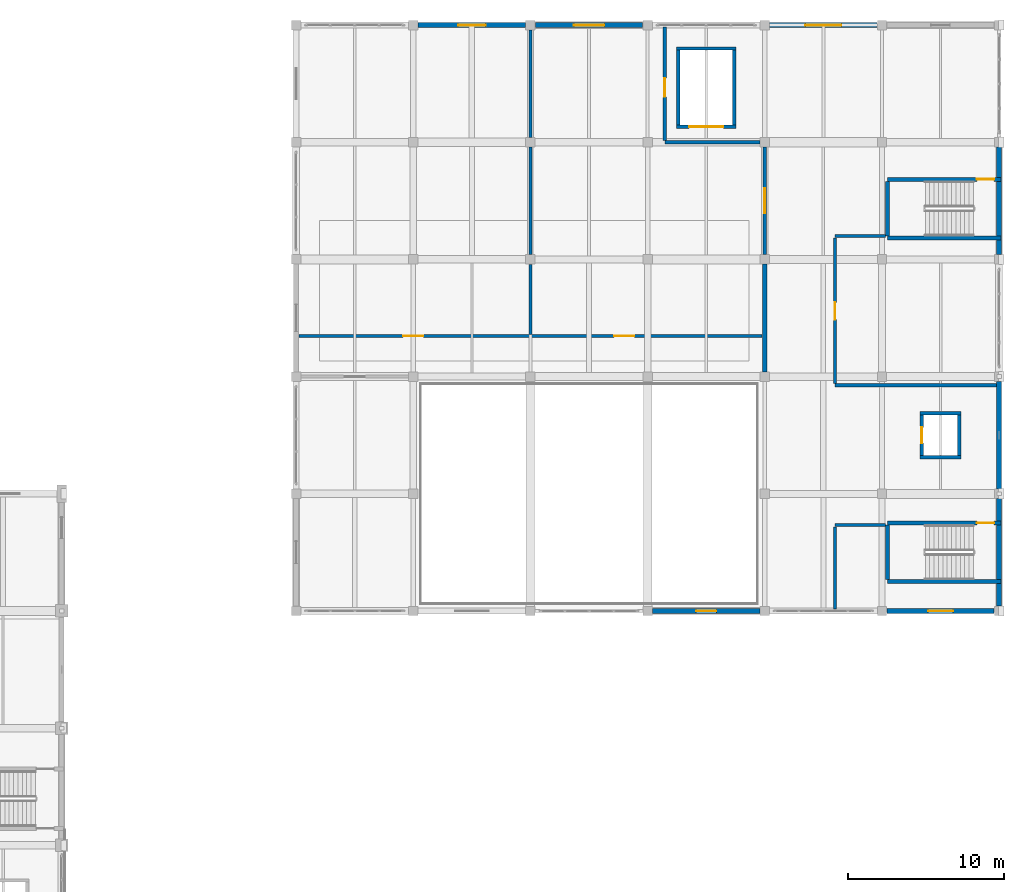
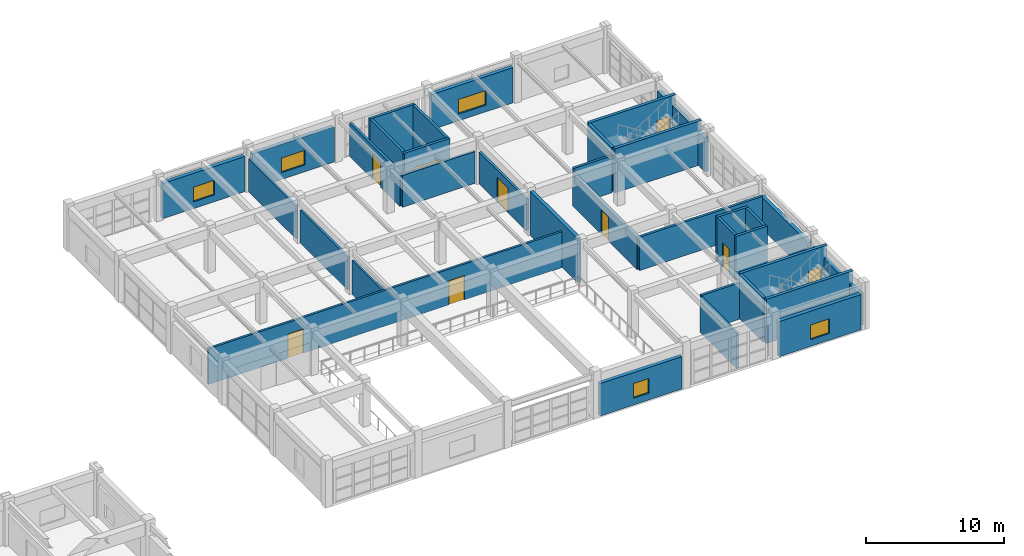
# One storey, part 100 of 124: 35 walls, 9 doors, 5 windows, 14 openings.
"""IFC4 building model written with IfcOpenShell, lengths in metres."""

from ifc_helpers import new_model, si_unit, direction, frame, frame_2d, origin, place, context, subcontext, project, spatial, rectangle, extrude, material, layer, layer_set, type_object, element, fill, save


model = new_model("IFC4")

# Units and contexts
model_context = context("Model", 3, precision=1e-05, world=origin(), true_north=direction((0.0, 1.0)))
body_context = subcontext(model_context, "Body", "Model", "MODEL_VIEW")
ifc_project = project(units=[si_unit("LENGTHUNIT", "METRE"), si_unit("AREAUNIT", "SQUARE_METRE"), si_unit("VOLUMEUNIT", "CUBIC_METRE"), si_unit("PLANEANGLEUNIT", "RADIAN"), si_unit("MASSUNIT", "GRAM", prefix="KILO")], contexts=[model_context])

# Site, building, storey
site_placement = place(None, origin())
site = spatial("IfcSite", under=ifc_project, at=site_placement, CompositionType="ELEMENT")
building_placement = place(site_placement, origin())
building = spatial("IfcBuilding", under=site, at=building_placement, Name="Qasida Concert Hall", CompositionType="ELEMENT")
storey_placement = place(building_placement, frame((0.0, 0.0, 9.0)))
storey = spatial("IfcBuildingStorey", under=building, at=storey_placement, Name="L02", CompositionType="ELEMENT", Elevation=9.0)

# Walls
ifc_material_1 = material(Name="Concrete C40/50", Category="concrete")
ifc_layer_1 = layer(ifc_material_1, 0.219970703125, Name="Concrete C40/50")
ifc_layer_set_1 = layer_set([ifc_layer_1], Name="Concrete C40/50")
wall_type_1 = type_object("IfcWallType", Name="WL-CW-220", PredefinedType="SOLIDWALL", material=ifc_layer_set_1)
for number, where, z_axis, x_axis, name in (
    (1, (159.93994140625, 84.85009765625, 0.0), (0.0, 0.0, 1.0), (1.0, 0.0, 0.0), "L02 LF-09 lift shaft wall S"),
    (2, (159.93994140625, 87.64990234375, 0.0), (0.0, 0.0, 1.0), (1.0, 0.0, 0.0), "L02 LF-09 lift shaft wall N"),
):
    element("IfcWall", number, at=place(storey_placement, frame(where, z_axis=z_axis, x_axis=x_axis)), inside=storey, type_object=wall_type_1, Name=name, PredefinedType="SOLIDWALL", context=body_context, shape_type="SweptSolid", body=[
        extrude(rectangle(XDim=2.6201171875, YDim=0.219970703125, at=frame_2d((1.31005859375, 0.0))), origin(), (0.0, 0.0, 1.0), 3.919921875),
    ])

# Wall, opening, door
wall_1_placement = place(storey_placement, frame((160.050048828125, 84.9599609375, 0.0), z_axis=(0.0, 0.0, 1.0), x_axis=(0.0, 1.0, 0.0)))
wall_1 = element("IfcWall", 3, at=wall_1_placement, inside=storey, type_object=wall_type_1, Name="L02 LF-09 lift shaft wall W", PredefinedType="SOLIDWALL", context=body_context, shape_type="SweptSolid", body=[
    extrude(rectangle(XDim=2.580078125, YDim=0.219970703125, at=frame_2d((1.2900390625, 0.0))), origin(), (0.0, 0.0, 1.0), 3.919921875),
])
opening_1_placement = place(wall_1_placement, frame((0.7900390625, 0.0, 0.0)))
opening_1 = element("IfcOpeningElement", 4, at=opening_1_placement, cuts=wall_1, Name="Opening LD-100", PredefinedType="OPENING", context=body_context, shape_type="SweptSolid", body=[
    extrude(rectangle(XDim=1.0, YDim=2.14990234375, at=frame_2d((0.5, 1.074951171875))), frame((0.0, 0.119873046875, 0.0), z_axis=(0.0, -1.0, 0.0), x_axis=(1.0, 0.0, 0.0)), (0.0, 0.0, 1.0), 0.239990234375),
])
ifc_material_2 = material(Name="Brushed bronze passenger lift landing door", Category="steel")
door_type_1 = type_object("IfcDoorType", Name="LD-100", OperationType="SLIDING_TO_LEFT", PredefinedType="DOOR", material=ifc_material_2)
door_1_placement = place(opening_1_placement, origin())
door_1 = element("IfcDoor", 5, at=door_1_placement, inside=storey, type_object=door_type_1, Name="Lift landing door LF-09 L02", OperationType="SLIDING_TO_LEFT", OverallHeight=2.14990234375, OverallWidth=1.0, PredefinedType="DOOR", context=body_context, shape_type="SweptSolid", body=[
    extrude(rectangle(XDim=1.0, YDim=2.14990234375, at=frame_2d((0.5, 1.074951171875))), frame((0.0, 0.02490234375, 0.0), z_axis=(0.0, -1.0, 0.0), x_axis=(1.0, 0.0, 0.0)), (0.0, 0.0, 1.0), 0.050048828125),
])
fill(opening_1, door_1)

# Wall
wall_2_placement = place(storey_placement, frame((162.449951171875, 84.9599609375, 0.0), z_axis=(0.0, 0.0, 1.0), x_axis=(0.0, 1.0, 0.0)))
element("IfcWall", 6, at=wall_2_placement, inside=storey, type_object=wall_type_1, Name="L02 LF-09 lift shaft wall E", PredefinedType="SOLIDWALL", context=body_context, shape_type="SweptSolid", body=[
    extrude(rectangle(XDim=2.580078125, YDim=0.219970703125, at=frame_2d((1.2900390625, 0.0))), origin(), (0.0, 0.0, 1.0), 3.919921875),
])

# Wall, opening, door
wall_3_placement = place(storey_placement, frame((144.340087890625, 106.0, 0.0), z_axis=(0.0, 0.0, 1.0), x_axis=(1.0, 0.0, 0.0)))
wall_3 = element("IfcWall", 7, at=wall_3_placement, inside=storey, type_object=wall_type_1, Name="L02 LF-10 lift shaft wall S", PredefinedType="SOLIDWALL", context=body_context, shape_type="SweptSolid", body=[
    extrude(rectangle(XDim=3.81982421875, YDim=0.219970703125, at=frame_2d((1.909912109375, 0.0))), origin(), (0.0, 0.0, 1.0), 3.919921875),
])
opening_2_placement = place(wall_3_placement, frame((0.81005859375, 0.0, 0.0)))
opening_2 = element("IfcOpeningElement", 8, at=opening_2_placement, cuts=wall_3, Name="Opening LD-220", PredefinedType="OPENING", context=body_context, shape_type="SweptSolid", body=[
    extrude(rectangle(XDim=2.199951171875, YDim=2.35009765625, at=frame_2d((1.10009765625, 1.175048828125))), frame((0.0, 0.119873046875, 0.0), z_axis=(0.0, -1.0, 0.0), x_axis=(1.0, 0.0, 0.0)), (0.0, 0.0, 1.0), 0.239990234375),
])
ifc_material_3 = material(Name="Piano freight lift bi-parting landing door", Category="steel")
door_type_2 = type_object("IfcDoorType", Name="LD-220", OperationType="DOUBLE_DOOR_SLIDING", PredefinedType="DOOR", material=ifc_material_3)
door_2_placement = place(opening_2_placement, origin())
door_2 = element("IfcDoor", 9, at=door_2_placement, inside=storey, type_object=door_type_2, Name="Lift landing door LF-10 L02", OperationType="DOUBLE_DOOR_SLIDING", OverallHeight=2.35009765625, OverallWidth=2.199951171875, PredefinedType="DOOR", context=body_context, shape_type="SweptSolid", body=[
    extrude(rectangle(XDim=2.199951171875, YDim=2.35009765625, at=frame_2d((1.10009765625, 1.175048828125))), frame((0.0, 0.02490234375, 0.0), z_axis=(0.0, -1.0, 0.0), x_axis=(1.0, 0.0, 0.0)), (0.0, 0.0, 1.0), 0.050048828125),
])
fill(opening_2, door_2)

# Walls
wall_4_placement = place(storey_placement, frame((144.340087890625, 111.0, 0.0), z_axis=(0.0, 0.0, 1.0), x_axis=(1.0, 0.0, 0.0)))
element("IfcWall", 10, at=wall_4_placement, inside=storey, type_object=wall_type_1, Name="L02 LF-10 lift shaft wall N", PredefinedType="SOLIDWALL", context=body_context, shape_type="SweptSolid", body=[
    extrude(rectangle(XDim=3.81982421875, YDim=0.219970703125, at=frame_2d((1.909912109375, 0.0))), origin(), (0.0, 0.0, 1.0), 3.919921875),
])
for number, where, z_axis, x_axis, name in (
    (11, (144.449951171875, 106.110107421875, 0.0), (0.0, 0.0, 1.0), (0.0, 1.0, 0.0), "L02 LF-10 lift shaft wall W"),
    (12, (148.050048828125, 106.110107421875, 0.0), (0.0, 0.0, 1.0), (0.0, 1.0, 0.0), "L02 LF-10 lift shaft wall E"),
):
    element("IfcWall", number, at=place(storey_placement, frame(where, z_axis=z_axis, x_axis=x_axis)), inside=storey, type_object=wall_type_1, Name=name, PredefinedType="SOLIDWALL", context=body_context, shape_type="SweptSolid", body=[
        extrude(rectangle(XDim=4.77978515625, YDim=0.219970703125, at=frame_2d((2.389892578125, 0.0))), origin(), (0.0, 0.0, 1.0), 3.919921875),
    ])
ifc_layer_2 = layer(ifc_material_1, 0.25, Name="Concrete C40/50")
ifc_layer_set_2 = layer_set([ifc_layer_2], Name="Concrete C40/50")
wall_type_2 = type_object("IfcWallType", Name="WL-CW-250", PredefinedType="SOLIDWALL", material=ifc_layer_set_2)
wall_5_placement = place(storey_placement, frame((157.860107421875, 76.875, 0.0), z_axis=(0.0, 0.0, 1.0), x_axis=(1.0, 0.0, 0.0)))
element("IfcWall", 13, at=wall_5_placement, inside=storey, type_object=wall_type_2, Name="L02 ST-07 stairwell wall S", PredefinedType="SOLIDWALL", context=body_context, shape_type="SweptSolid", body=[
    extrude(rectangle(XDim=7.260009765625, YDim=0.25, at=frame_2d((3.6298828125, 0.0))), origin(), (0.0, 0.0, 1.0), 3.919921875),
])

# Wall, opening, door
wall_6_placement = place(storey_placement, frame((157.860107421875, 80.625, 0.0), z_axis=(0.0, 0.0, 1.0), x_axis=(1.0, 0.0, 0.0)))
wall_6 = element("IfcWall", 14, at=wall_6_placement, inside=storey, type_object=wall_type_2, Name="L02 ST-07 stairwell wall N", PredefinedType="SOLIDWALL", context=body_context, shape_type="SweptSolid", body=[
    extrude(rectangle(XDim=7.260009765625, YDim=0.25, at=frame_2d((3.6298828125, 0.0))), origin(), (0.0, 0.0, 1.0), 3.919921875),
])
opening_3_placement = place(wall_6_placement, frame((5.7099609375, 0.0, 0.0)))
opening_3 = element("IfcOpeningElement", 15, at=opening_3_placement, cuts=wall_6, Name="Opening FD-110", PredefinedType="OPENING", context=body_context, shape_type="SweptSolid", body=[
    extrude(rectangle(XDim=1.10009765625, YDim=2.14990234375, at=frame_2d((0.550048828125, 1.074951171875))), frame((0.0, 0.135009765625, 0.0), z_axis=(0.0, -1.0, 0.0), x_axis=(1.0, 0.0, 0.0)), (0.0, 0.0, 1.0), 0.27001953125),
])
ifc_material_4 = material(Name="Steel fire-rated stair/lobby door set", Category="steel")
door_type_3 = type_object("IfcDoorType", Name="FD-110", OperationType="NOTDEFINED", PredefinedType="DOOR", material=ifc_material_4)
door_3_placement = place(opening_3_placement, origin())
door_3 = element("IfcDoor", 16, at=door_3_placement, inside=storey, type_object=door_type_3, Name="L02 ST-07 rated stair door", OperationType="SINGLE_SWING_LEFT", OverallHeight=2.14990234375, OverallWidth=1.10009765625, PredefinedType="DOOR", context=body_context, shape_type="SweptSolid", body=[
    extrude(rectangle(XDim=1.10009765625, YDim=2.14990234375, at=frame_2d((0.550048828125, 1.074951171875))), frame((0.0, 0.02490234375, 0.0), z_axis=(0.0, -1.0, 0.0), x_axis=(1.0, 0.0, 0.0)), (0.0, 0.0, 1.0), 0.050048828125),
])
fill(opening_3, door_3)

# Walls
wall_7_placement = place(storey_placement, frame((157.85498046875, 77.0, 0.0), z_axis=(0.0, 0.0, 1.0), x_axis=(0.0, 1.0, 0.0)))
element("IfcWall", 17, at=wall_7_placement, inside=storey, type_object=wall_type_2, Name="L02 ST-07 stairwell wall W", PredefinedType="SOLIDWALL", context=body_context, shape_type="SweptSolid", body=[
    extrude(rectangle(XDim=3.5, YDim=0.25, at=frame_2d((1.75, 0.0))), origin(), (0.0, 0.0, 1.0), 3.919921875),
])
wall_8_placement = place(storey_placement, frame((157.860107421875, 98.875, 0.0), z_axis=(0.0, 0.0, 1.0), x_axis=(1.0, 0.0, 0.0)))
element("IfcWall", 18, at=wall_8_placement, inside=storey, type_object=wall_type_2, Name="L02 ST-08 stairwell wall S", PredefinedType="SOLIDWALL", context=body_context, shape_type="SweptSolid", body=[
    extrude(rectangle(XDim=7.260009765625, YDim=0.25, at=frame_2d((3.6298828125, 0.0))), origin(), (0.0, 0.0, 1.0), 3.919921875),
])

# Wall, opening, door
wall_9_placement = place(storey_placement, frame((157.860107421875, 102.625, 0.0), z_axis=(0.0, 0.0, 1.0), x_axis=(1.0, 0.0, 0.0)))
wall_9 = element("IfcWall", 19, at=wall_9_placement, inside=storey, type_object=wall_type_2, Name="L02 ST-08 stairwell wall N", PredefinedType="SOLIDWALL", context=body_context, shape_type="SweptSolid", body=[
    extrude(rectangle(XDim=7.260009765625, YDim=0.25, at=frame_2d((3.6298828125, 0.0))), origin(), (0.0, 0.0, 1.0), 3.919921875),
])
opening_4_placement = place(wall_9_placement, frame((5.7099609375, 0.0, 0.0)))
opening_4 = element("IfcOpeningElement", 20, at=opening_4_placement, cuts=wall_9, Name="Opening FD-110", PredefinedType="OPENING", context=body_context, shape_type="SweptSolid", body=[
    extrude(rectangle(XDim=1.10009765625, YDim=2.14990234375, at=frame_2d((0.550048828125, 1.074951171875))), frame((0.0, 0.135009765625, 0.0), z_axis=(0.0, -1.0, 0.0), x_axis=(1.0, 0.0, 0.0)), (0.0, 0.0, 1.0), 0.27001953125),
])
door_4_placement = place(opening_4_placement, origin())
door_4 = element("IfcDoor", 21, at=door_4_placement, inside=storey, type_object=door_type_3, Name="L02 ST-08 rated stair door", OperationType="SINGLE_SWING_LEFT", OverallHeight=2.14990234375, OverallWidth=1.10009765625, PredefinedType="DOOR", context=body_context, shape_type="SweptSolid", body=[
    extrude(rectangle(XDim=1.10009765625, YDim=2.14990234375, at=frame_2d((0.550048828125, 1.074951171875))), frame((0.0, 0.02490234375, 0.0), z_axis=(0.0, -1.0, 0.0), x_axis=(1.0, 0.0, 0.0)), (0.0, 0.0, 1.0), 0.050048828125),
])
fill(opening_4, door_4)

# Wall
wall_10_placement = place(storey_placement, frame((157.85498046875, 99.0, 0.0), z_axis=(0.0, 0.0, 1.0), x_axis=(0.0, 1.0, 0.0)))
element("IfcWall", 22, at=wall_10_placement, inside=storey, type_object=wall_type_2, Name="L02 ST-08 stairwell wall W", PredefinedType="SOLIDWALL", context=body_context, shape_type="SweptSolid", body=[
    extrude(rectangle(XDim=3.5, YDim=0.25, at=frame_2d((1.75, 0.0))), origin(), (0.0, 0.0, 1.0), 3.919921875),
])

# Wall, opening, window
ifc_material_5 = material(Name="Precast concrete C40/50", Category="concrete")
ifc_layer_3 = layer(ifc_material_5, 0.320068359375, Name="Precast concrete C40/50")
ifc_layer_set_3 = layer_set([ifc_layer_3], Name="Precast concrete C40/50")
wall_type_3 = type_object("IfcWallType", Name="WL-EW-320", PredefinedType="SOLIDWALL", material=ifc_layer_set_3)
wall_11_placement = place(storey_placement, frame((127.804931640625, 112.5, 0.0), z_axis=(0.0, 0.0, 1.0), x_axis=(1.0, 0.0, 0.0)))
wall_11 = element("IfcWall", 23, at=wall_11_placement, inside=storey, type_object=wall_type_3, Name="L02 exterior wall EW-320 0199", PredefinedType="SOLIDWALL", context=body_context, shape_type="SweptSolid", body=[
    extrude(rectangle(XDim=6.880126953125, YDim=0.320068359375, at=frame_2d((3.43994140625, 0.0))), origin(), (0.0, 0.0, 1.0), 3.1201171875),
])
opening_5_placement = place(wall_11_placement, frame((2.570068359375, 0.0, 0.60009765625)))
opening_5 = element("IfcOpeningElement", 24, at=opening_5_placement, cuts=wall_11, Name="Opening WN-13", PredefinedType="OPENING", context=body_context, shape_type="SweptSolid", body=[
    extrude(rectangle(XDim=1.75, YDim=1.300048828125, at=frame_2d((0.875, 0.64990234375))), frame((0.0, 0.169921875, 0.0), z_axis=(0.0, -1.0, 0.0), x_axis=(1.0, 0.0, 0.0)), (0.0, 0.0, 1.0), 0.340087890625),
])
ifc_material_6 = material(Name="Bronze-anodized aluminium frame with acoustic low-E glazing", Category="aluminium")
window_type_1 = type_object("IfcWindowType", Name="WN-13", PartitioningType="SINGLE_PANEL", PredefinedType="WINDOW", material=ifc_material_6)
window_1_placement = place(opening_5_placement, origin())
window_1 = element("IfcWindow", 25, at=window_1_placement, inside=storey, type_object=window_type_1, Name="L02 window WN-13 0101", OverallHeight=1.300048828125, OverallWidth=1.75, PartitioningType="SINGLE_PANEL", PredefinedType="WINDOW", context=body_context, shape_type="SweptSolid", body=[
    extrude(rectangle(XDim=1.75, YDim=1.300048828125, at=frame_2d((0.875, 0.64990234375))), frame((0.0, 0.030029296875, 0.0), z_axis=(0.0, -1.0, 0.0), x_axis=(1.0, 0.0, 0.0)), (0.0, 0.0, 1.0), 0.06005859375),
])
fill(opening_5, window_1)

wall_12_placement = place(storey_placement, frame((135.31494140625, 112.5, 0.0), z_axis=(0.0, 0.0, 1.0), x_axis=(1.0, 0.0, 0.0)))
wall_12 = element("IfcWall", 26, at=wall_12_placement, inside=storey, type_object=wall_type_3, Name="L02 exterior wall EW-320 0200", PredefinedType="SOLIDWALL", context=body_context, shape_type="SweptSolid", body=[
    extrude(rectangle(XDim=6.8701171875, YDim=0.320068359375, at=frame_2d((3.43505859375, 0.0))), origin(), (0.0, 0.0, 1.0), 3.1201171875),
])
opening_6_placement = place(wall_12_placement, frame((2.4599609375, 0.0, 0.60009765625)))
opening_6 = element("IfcOpeningElement", 27, at=opening_6_placement, cuts=wall_12, Name="Opening WN-14", PredefinedType="OPENING", context=body_context, shape_type="SweptSolid", body=[
    extrude(rectangle(XDim=1.949951171875, YDim=1.300048828125, at=frame_2d((0.97509765625, 0.64990234375))), frame((0.0, 0.169921875, 0.0), z_axis=(0.0, -1.0, 0.0), x_axis=(1.0, 0.0, 0.0)), (0.0, 0.0, 1.0), 0.340087890625),
])
window_type_2 = type_object("IfcWindowType", Name="WN-14", PartitioningType="SINGLE_PANEL", PredefinedType="WINDOW", material=ifc_material_6)
window_2_placement = place(opening_6_placement, origin())
window_2 = element("IfcWindow", 28, at=window_2_placement, inside=storey, type_object=window_type_2, Name="L02 window WN-14 0102", OverallHeight=1.300048828125, OverallWidth=1.949951171875, PartitioningType="SINGLE_PANEL", PredefinedType="WINDOW", context=body_context, shape_type="SweptSolid", body=[
    extrude(rectangle(XDim=1.949951171875, YDim=1.300048828125, at=frame_2d((0.97509765625, 0.64990234375))), frame((0.0, 0.030029296875, 0.0), z_axis=(0.0, -1.0, 0.0), x_axis=(1.0, 0.0, 0.0)), (0.0, 0.0, 1.0), 0.06005859375),
])
fill(opening_6, window_2)

wall_13_placement = place(storey_placement, frame((142.81494140625, 75.0, 0.0), z_axis=(0.0, 0.0, 1.0), x_axis=(1.0, 0.0, 0.0)))
wall_13 = element("IfcWall", 29, at=wall_13_placement, inside=storey, type_object=wall_type_3, Name="L02 exterior wall EW-320 0201", PredefinedType="SOLIDWALL", context=body_context, shape_type="SweptSolid", body=[
    extrude(rectangle(XDim=6.8701171875, YDim=0.320068359375, at=frame_2d((3.43505859375, 0.0))), origin(), (0.0, 0.0, 1.0), 2.8701171875),
])
opening_7_placement = place(wall_13_placement, frame((2.784912109375, 0.0, 0.60009765625)))
opening_7 = element("IfcOpeningElement", 30, at=opening_7_placement, cuts=wall_13, Name="Opening WN-10", PredefinedType="OPENING", context=body_context, shape_type="SweptSolid", body=[
    extrude(rectangle(XDim=1.300048828125, YDim=1.300048828125, at=frame_2d((0.64990234375, 0.64990234375))), frame((0.0, 0.169921875, 0.0), z_axis=(0.0, -1.0, 0.0), x_axis=(1.0, 0.0, 0.0)), (0.0, 0.0, 1.0), 0.340087890625),
])
window_type_3 = type_object("IfcWindowType", Name="WN-10", PartitioningType="SINGLE_PANEL", PredefinedType="WINDOW", material=ifc_material_6)
window_3_placement = place(opening_7_placement, origin())
window_3 = element("IfcWindow", 31, at=window_3_placement, inside=storey, type_object=window_type_3, Name="L02 window WN-10 0103", OverallHeight=1.300048828125, OverallWidth=1.300048828125, PartitioningType="SINGLE_PANEL", PredefinedType="WINDOW", context=body_context, shape_type="SweptSolid", body=[
    extrude(rectangle(XDim=1.300048828125, YDim=1.300048828125, at=frame_2d((0.64990234375, 0.64990234375))), frame((0.0, 0.030029296875, 0.0), z_axis=(0.0, -1.0, 0.0), x_axis=(1.0, 0.0, 0.0)), (0.0, 0.0, 1.0), 0.06005859375),
])
fill(opening_7, window_3)

wall_14_placement = place(storey_placement, frame((150.31494140625, 112.5, 0.0), z_axis=(0.0, 0.0, 1.0), x_axis=(1.0, 0.0, 0.0)))
wall_14 = element("IfcWall", 32, at=wall_14_placement, inside=storey, type_object=wall_type_3, Name="L02 exterior wall EW-320 0202", PredefinedType="SOLIDWALL", context=body_context, shape_type="SweptSolid", body=[
    extrude(rectangle(XDim=6.8701171875, YDim=0.320068359375, at=frame_2d((3.43505859375, 0.0))), origin(), (0.0, 0.0, 1.0), 3.1201171875),
])
opening_8_placement = place(wall_14_placement, frame((2.284912109375, 0.0, 0.60009765625)))
opening_8 = element("IfcOpeningElement", 33, at=opening_8_placement, cuts=wall_14, Name="Opening WN-16", PredefinedType="OPENING", context=body_context, shape_type="SweptSolid", body=[
    extrude(rectangle(XDim=2.300048828125, YDim=1.300048828125, at=frame_2d((1.14990234375, 0.64990234375))), frame((0.0, 0.169921875, 0.0), z_axis=(0.0, -1.0, 0.0), x_axis=(1.0, 0.0, 0.0)), (0.0, 0.0, 1.0), 0.340087890625),
])
window_type_4 = type_object("IfcWindowType", Name="WN-16", PartitioningType="SINGLE_PANEL", PredefinedType="WINDOW", material=ifc_material_6)
window_4_placement = place(opening_8_placement, origin())
window_4 = element("IfcWindow", 34, at=window_4_placement, inside=storey, type_object=window_type_4, Name="L02 window WN-16 0104", OverallHeight=1.300048828125, OverallWidth=2.300048828125, PartitioningType="SINGLE_PANEL", PredefinedType="WINDOW", context=body_context, shape_type="SweptSolid", body=[
    extrude(rectangle(XDim=2.300048828125, YDim=1.300048828125, at=frame_2d((1.14990234375, 0.64990234375))), frame((0.0, 0.030029296875, 0.0), z_axis=(0.0, -1.0, 0.0), x_axis=(1.0, 0.0, 0.0)), (0.0, 0.0, 1.0), 0.06005859375),
])
fill(opening_8, window_4)

wall_15_placement = place(storey_placement, frame((157.81494140625, 75.0, 0.0), z_axis=(0.0, 0.0, 1.0), x_axis=(1.0, 0.0, 0.0)))
wall_15 = element("IfcWall", 35, at=wall_15_placement, inside=storey, type_object=wall_type_3, Name="L02 exterior wall EW-320 0203", PredefinedType="SOLIDWALL", context=body_context, shape_type="SweptSolid", body=[
    extrude(rectangle(XDim=6.8701171875, YDim=0.320068359375, at=frame_2d((3.43505859375, 0.0))), origin(), (0.0, 0.0, 1.0), 3.1201171875),
])
opening_9_placement = place(wall_15_placement, frame((2.635009765625, 0.0, 0.60009765625)))
opening_9 = element("IfcOpeningElement", 36, at=opening_9_placement, cuts=wall_15, Name="Opening WN-12", PredefinedType="OPENING", context=body_context, shape_type="SweptSolid", body=[
    extrude(rectangle(XDim=1.60009765625, YDim=1.300048828125, at=frame_2d((0.800048828125, 0.64990234375))), frame((0.0, 0.169921875, 0.0), z_axis=(0.0, -1.0, 0.0), x_axis=(1.0, 0.0, 0.0)), (0.0, 0.0, 1.0), 0.340087890625),
])
window_type_5 = type_object("IfcWindowType", Name="WN-12", PartitioningType="SINGLE_PANEL", PredefinedType="WINDOW", material=ifc_material_6)
window_5_placement = place(opening_9_placement, origin())
window_5 = element("IfcWindow", 37, at=window_5_placement, inside=storey, type_object=window_type_5, Name="L02 window WN-12 0105", OverallHeight=1.300048828125, OverallWidth=1.60009765625, PartitioningType="SINGLE_PANEL", PredefinedType="WINDOW", context=body_context, shape_type="SweptSolid", body=[
    extrude(rectangle(XDim=1.60009765625, YDim=1.300048828125, at=frame_2d((0.800048828125, 0.64990234375))), frame((0.0, 0.030029296875, 0.0), z_axis=(0.0, -1.0, 0.0), x_axis=(1.0, 0.0, 0.0)), (0.0, 0.0, 1.0), 0.06005859375),
])
fill(opening_9, window_5)

# Walls
for number, where, z_axis, x_axis, name in (
    (38, (165.0, 75.304931640625, 0.0), (0.0, 0.0, 1.0), (0.0, 1.0, 0.0), "L02 exterior wall EW-320 0206"),
    (39, (165.0, 82.804931640625, 0.0), (0.0, 0.0, 1.0), (0.0, 1.0, 0.0), "L02 exterior wall EW-320 0207"),
):
    element("IfcWall", number, at=place(storey_placement, frame(where, z_axis=z_axis, x_axis=x_axis)), inside=storey, type_object=wall_type_3, Name=name, PredefinedType="SOLIDWALL", context=body_context, shape_type="SweptSolid", body=[
        extrude(rectangle(XDim=6.89013671875, YDim=0.320068359375, at=frame_2d((3.445068359375, 0.0))), origin(), (0.0, 0.0, 1.0), 2.820068359375),
    ])
wall_16_placement = place(storey_placement, frame((165.0, 97.804931640625, 0.0), z_axis=(0.0, 0.0, 1.0), x_axis=(0.0, 1.0, 0.0)))
element("IfcWall", 40, at=wall_16_placement, inside=storey, type_object=wall_type_3, Name="L02 exterior wall EW-320 0209", PredefinedType="SOLIDWALL", context=body_context, shape_type="SweptSolid", body=[
    extrude(rectangle(XDim=6.89013671875, YDim=0.320068359375, at=frame_2d((3.445068359375, 0.0))), origin(), (0.0, 0.0, 1.0), 3.02001953125),
])

# Wall, openings, doors
ifc_material_7 = material(Name="Acoustic metal-stud gypsum partition", Category="gypsum")
ifc_layer_4 = layer(ifc_material_7, 0.179931640625, Name="Acoustic metal-stud gypsum partition")
ifc_layer_set_4 = layer_set([ifc_layer_4], Name="Acoustic metal-stud gypsum partition")
wall_type_4 = type_object("IfcWallType", Name="WL-PW-180", PredefinedType="PARTITIONING", material=ifc_layer_set_4)
wall_17_placement = place(storey_placement, frame((120.174072265625, 92.60009765625, 0.0), z_axis=(0.0, 0.0, 1.0), x_axis=(1.0, 0.0, 0.0)))
wall_17 = element("IfcWall", 41, at=wall_17_placement, inside=storey, type_object=wall_type_4, Name="L02 partition PW-180 0571", PredefinedType="PARTITIONING", context=body_context, shape_type="SweptSolid", body=[
    extrude(rectangle(XDim=29.661865234375, YDim=0.179931640625, at=frame_2d((14.8310546875, 0.0))), origin(), (0.0, 0.0, 1.0), 3.169921875),
])
opening_10_placement = place(wall_17_placement, frame((6.676025390625, 0.0, 0.0)))
opening_10 = element("IfcOpeningElement", 42, at=opening_10_placement, cuts=wall_17, Name="Opening ID-130", PredefinedType="OPENING", context=body_context, shape_type="SweptSolid", body=[
    extrude(rectangle(XDim=1.300048828125, YDim=2.14990234375, at=frame_2d((0.64990234375, 1.074951171875))), frame((0.0, 0.099853515625, 0.0), z_axis=(0.0, -1.0, 0.0), x_axis=(1.0, 0.0, 0.0)), (0.0, 0.0, 1.0), 0.199951171875),
])
opening_11_placement = place(wall_17_placement, frame((20.176025390625, 0.0, 0.0)))
opening_11 = element("IfcOpeningElement", 43, at=opening_11_placement, cuts=wall_17, Name="Opening ID-130", PredefinedType="OPENING", context=body_context, shape_type="SweptSolid", body=[
    extrude(rectangle(XDim=1.300048828125, YDim=2.14990234375, at=frame_2d((0.64990234375, 1.074951171875))), frame((0.0, 0.099853515625, 0.0), z_axis=(0.0, -1.0, 0.0), x_axis=(1.0, 0.0, 0.0)), (0.0, 0.0, 1.0), 0.199951171875),
])
ifc_material_8 = material(Name="Bronze-framed glazed salon door", Category="aluminium")
door_type_4 = type_object("IfcDoorType", Name="ID-130", OperationType="NOTDEFINED", PredefinedType="DOOR", material=ifc_material_8)
door_5_placement = place(opening_10_placement, origin())
door_5 = element("IfcDoor", 44, at=door_5_placement, inside=storey, type_object=door_type_4, Name="L02 Sheet music library door", OperationType="SINGLE_SWING_RIGHT", OverallHeight=2.14990234375, OverallWidth=1.300048828125, PredefinedType="DOOR", context=body_context, shape_type="SweptSolid", body=[
    extrude(rectangle(XDim=1.300048828125, YDim=2.14990234375, at=frame_2d((0.64990234375, 1.074951171875))), frame((0.0, 0.02490234375, 0.0), z_axis=(0.0, -1.0, 0.0), x_axis=(1.0, 0.0, 0.0)), (0.0, 0.0, 1.0), 0.050048828125),
])
fill(opening_10, door_5)
door_6_placement = place(opening_11_placement, origin())
door_6 = element("IfcDoor", 45, at=door_6_placement, inside=storey, type_object=door_type_4, Name="L02 Luthier workshop south door", OperationType="SINGLE_SWING_LEFT", OverallHeight=2.14990234375, OverallWidth=1.300048828125, PredefinedType="DOOR", context=body_context, shape_type="SweptSolid", body=[
    extrude(rectangle(XDim=1.300048828125, YDim=2.14990234375, at=frame_2d((0.64990234375, 1.074951171875))), frame((0.0, 0.02490234375, 0.0), z_axis=(0.0, -1.0, 0.0), x_axis=(1.0, 0.0, 0.0)), (0.0, 0.0, 1.0), 0.050048828125),
])
fill(opening_11, door_6)

# Walls
wall_18_placement = place(storey_placement, frame((135.0, 92.7041015625, 0.0), z_axis=(0.0, 0.0, 1.0), x_axis=(0.0, 1.0, 0.0)))
element("IfcWall", 46, at=wall_18_placement, inside=storey, type_object=wall_type_4, Name="L02 partition PW-180 0572", PredefinedType="PARTITIONING", context=body_context, shape_type="SweptSolid", body=[
    extrude(rectangle(XDim=4.48193359375, YDim=0.179931640625, at=frame_2d((2.240966796875, 0.0))), origin(), (0.0, 0.0, 1.0), 3.02001953125),
])
for number, where, z_axis, x_axis, name in (
    (47, (135.0, 97.81396484375, 0.0), (0.0, 0.0, 1.0), (0.0, 1.0, 0.0), "L02 partition PW-180 0573"),
    (48, (135.0, 105.31396484375, 0.0), (0.0, 0.0, 1.0), (0.0, 1.0, 0.0), "L02 partition PW-180 0574"),
):
    element("IfcWall", number, at=place(storey_placement, frame(where, z_axis=z_axis, x_axis=x_axis)), inside=storey, type_object=wall_type_4, Name=name, PredefinedType="PARTITIONING", context=body_context, shape_type="SweptSolid", body=[
        extrude(rectangle(XDim=6.8720703125, YDim=0.179931640625, at=frame_2d((3.43603515625, 0.0))), origin(), (0.0, 0.0, 1.0), 2.919921875),
    ])
ifc_material_9 = material(Name="Acoustic gypsum block and mineral wool", Category="gypsum")
ifc_layer_5 = layer(ifc_material_9, 0.199951171875, Name="Acoustic gypsum block and mineral wool")
ifc_layer_set_5 = layer_set([ifc_layer_5], Name="Acoustic gypsum block and mineral wool")
wall_type_5 = type_object("IfcWallType", Name="WL-PW-200", PredefinedType="PARTITIONING", material=ifc_layer_set_5)
wall_19_placement = place(storey_placement, frame((143.60009765625, 105.0, 0.0), z_axis=(0.0, 0.0, 1.0), x_axis=(1.0, 0.0, 0.0)))
element("IfcWall", 49, at=wall_19_placement, inside=storey, type_object=wall_type_5, Name="L02 partition PW-200 0533", PredefinedType="PARTITIONING", context=body_context, shape_type="SweptSolid", body=[
    extrude(rectangle(XDim=6.0859375, YDim=0.199951171875, at=frame_2d((3.04296875, 0.0))), origin(), (0.0, 0.0, 1.0), 2.820068359375),
])

# Wall, opening, door
wall_20_placement = place(storey_placement, frame((143.60009765625, 105.114013671875, 0.0), z_axis=(0.0, 0.0, 1.0), x_axis=(0.0, 1.0, 0.0)))
wall_20 = element("IfcWall", 50, at=wall_20_placement, inside=storey, type_object=wall_type_5, Name="L02 partition PW-200 0534", PredefinedType="PARTITIONING", context=body_context, shape_type="SweptSolid", body=[
    extrude(rectangle(XDim=7.27392578125, YDim=0.199951171875, at=frame_2d((3.636962890625, 0.0))), origin(), (0.0, 0.0, 1.0), 2.969970703125),
])
opening_12_placement = place(wall_20_placement, frame((2.785888671875, 0.0, 0.0)))
opening_12 = element("IfcOpeningElement", 51, at=opening_12_placement, cuts=wall_20, Name="Opening FD-120", PredefinedType="OPENING", context=body_context, shape_type="SweptSolid", body=[
    extrude(rectangle(XDim=1.199951171875, YDim=2.14990234375, at=frame_2d((0.60009765625, 1.074951171875))), frame((0.0, 0.10986328125, 0.0), z_axis=(0.0, -1.0, 0.0), x_axis=(1.0, 0.0, 0.0)), (0.0, 0.0, 1.0), 0.219970703125),
])
ifc_material_10 = material(Name="Steel fire-rated acoustic door set", Category="steel")
door_type_5 = type_object("IfcDoorType", Name="FD-120", OperationType="NOTDEFINED", PredefinedType="DOOR", material=ifc_material_10)
door_7_placement = place(opening_12_placement, origin())
door_7 = element("IfcDoor", 52, at=door_7_placement, inside=storey, type_object=door_type_5, Name="L02 L02 freight lift airlock door", OperationType="SINGLE_SWING_RIGHT", OverallHeight=2.14990234375, OverallWidth=1.199951171875, PredefinedType="DOOR", context=body_context, shape_type="SweptSolid", body=[
    extrude(rectangle(XDim=1.199951171875, YDim=2.14990234375, at=frame_2d((0.60009765625, 1.074951171875))), frame((0.0, 0.02490234375, 0.0), z_axis=(0.0, -1.0, 0.0), x_axis=(1.0, 0.0, 0.0)), (0.0, 0.0, 1.0), 0.050048828125),
])
fill(opening_12, door_7)

# Walls
wall_21_placement = place(storey_placement, frame((154.5, 80.5, 0.0), z_axis=(0.0, 0.0, 1.0), x_axis=(1.0, 0.0, 0.0)))
element("IfcWall", 53, at=wall_21_placement, inside=storey, type_object=wall_type_5, Name="L02 partition PW-200 0535", PredefinedType="PARTITIONING", context=body_context, shape_type="SweptSolid", body=[
    extrude(rectangle(XDim=3.216064453125, YDim=0.199951171875, at=frame_2d((1.60791015625, 0.0))), origin(), (0.0, 0.0, 1.0), 3.219970703125),
])
wall_22_placement = place(storey_placement, frame((154.5, 75.112060546875, 0.0), z_axis=(0.0, 0.0, 1.0), x_axis=(0.0, 1.0, 0.0)))
element("IfcWall", 54, at=wall_22_placement, inside=storey, type_object=wall_type_5, Name="L02 partition PW-200 0536", PredefinedType="PARTITIONING", context=body_context, shape_type="SweptSolid", body=[
    extrude(rectangle(XDim=5.27392578125, YDim=0.199951171875, at=frame_2d((2.636962890625, 0.0))), origin(), (0.0, 0.0, 1.0), 3.1201171875),
])
wall_23_placement = place(storey_placement, frame((154.5, 89.449951171875, 0.0), z_axis=(0.0, 0.0, 1.0), x_axis=(1.0, 0.0, 0.0)))
element("IfcWall", 55, at=wall_23_placement, inside=storey, type_object=wall_type_5, Name="L02 partition PW-200 0537", PredefinedType="PARTITIONING", context=body_context, shape_type="SweptSolid", body=[
    extrude(rectangle(XDim=10.325927734375, YDim=0.199951171875, at=frame_2d((5.1630859375, 0.0))), origin(), (0.0, 0.0, 1.0), 2.969970703125),
])
wall_24_placement = place(storey_placement, frame((154.5, 99.0, 0.0), z_axis=(0.0, 0.0, 1.0), x_axis=(1.0, 0.0, 0.0)))
element("IfcWall", 56, at=wall_24_placement, inside=storey, type_object=wall_type_5, Name="L02 partition PW-200 0538", PredefinedType="PARTITIONING", context=body_context, shape_type="SweptSolid", body=[
    extrude(rectangle(XDim=3.216064453125, YDim=0.199951171875, at=frame_2d((1.60791015625, 0.0))), origin(), (0.0, 0.0, 1.0), 3.27001953125),
])

# Wall, opening, door
wall_25_placement = place(storey_placement, frame((154.5, 89.56396484375, 0.0), z_axis=(0.0, 0.0, 1.0), x_axis=(0.0, 1.0, 0.0)))
wall_25 = element("IfcWall", 57, at=wall_25_placement, inside=storey, type_object=wall_type_5, Name="L02 partition PW-200 0539", PredefinedType="PARTITIONING", context=body_context, shape_type="SweptSolid", body=[
    extrude(rectangle(XDim=9.322021484375, YDim=0.199951171875, at=frame_2d((4.6611328125, 0.0))), origin(), (0.0, 0.0, 1.0), 2.919921875),
])
opening_13_placement = place(wall_25_placement, frame((4.0859375, 0.0, 0.0)))
opening_13 = element("IfcOpeningElement", 58, at=opening_13_placement, cuts=wall_25, Name="Opening FD-110", PredefinedType="OPENING", context=body_context, shape_type="SweptSolid", body=[
    extrude(rectangle(XDim=1.10009765625, YDim=2.14990234375, at=frame_2d((0.550048828125, 1.074951171875))), frame((0.0, 0.10986328125, 0.0), z_axis=(0.0, -1.0, 0.0), x_axis=(1.0, 0.0, 0.0)), (0.0, 0.0, 1.0), 0.219970703125),
])
door_8_placement = place(opening_13_placement, origin())
door_8 = element("IfcDoor", 59, at=door_8_placement, inside=storey, type_object=door_type_3, Name="L02 L02 stage dimmer rack room door", OperationType="SINGLE_SWING_LEFT", OverallHeight=2.14990234375, OverallWidth=1.10009765625, PredefinedType="DOOR", context=body_context, shape_type="SweptSolid", body=[
    extrude(rectangle(XDim=1.10009765625, YDim=2.14990234375, at=frame_2d((0.550048828125, 1.074951171875))), frame((0.0, 0.02490234375, 0.0), z_axis=(0.0, -1.0, 0.0), x_axis=(1.0, 0.0, 0.0)), (0.0, 0.0, 1.0), 0.050048828125),
])
fill(opening_13, door_8)

wall_26_placement = place(storey_placement, frame((150.0, 97.81396484375, 0.0), z_axis=(0.0, 0.0, 1.0), x_axis=(0.0, 1.0, 0.0)))
wall_26 = element("IfcWall", 60, at=wall_26_placement, inside=storey, type_object=wall_type_5, Name="L02 partition PW-200 0575", PredefinedType="PARTITIONING", context=body_context, shape_type="SweptSolid", body=[
    extrude(rectangle(XDim=6.8720703125, YDim=0.199951171875, at=frame_2d((3.43603515625, 0.0))), origin(), (0.0, 0.0, 1.0), 2.820068359375),
])
opening_14_placement = place(wall_26_placement, frame((2.635986328125, 0.0, 0.0)))
opening_14 = element("IfcOpeningElement", 61, at=opening_14_placement, cuts=wall_26, Name="Opening AD-160", PredefinedType="OPENING", context=body_context, shape_type="SweptSolid", body=[
    extrude(rectangle(XDim=1.60009765625, YDim=2.159912109375, at=frame_2d((0.800048828125, 1.080078125))), frame((0.0, 0.10986328125, 0.0), z_axis=(0.0, -1.0, 0.0), x_axis=(1.0, 0.0, 0.0)), (0.0, 0.0, 1.0), 0.219970703125),
])
ifc_material_11 = material(Name="Double-seal Rw 50 dB rehearsal hall door", Category="wood")
door_type_6 = type_object("IfcDoorType", Name="AD-160", OperationType="NOTDEFINED", PredefinedType="DOOR", material=ifc_material_11)
door_9_placement = place(opening_14_placement, origin())
door_9 = element("IfcDoor", 62, at=door_9_placement, inside=storey, type_object=door_type_6, Name="L02 Luthier workshop east door", OperationType="SINGLE_SWING_RIGHT", OverallHeight=2.159912109375, OverallWidth=1.60009765625, PredefinedType="DOOR", context=body_context, shape_type="SweptSolid", body=[
    extrude(rectangle(XDim=1.60009765625, YDim=2.159912109375, at=frame_2d((0.800048828125, 1.080078125))), frame((0.0, 0.02490234375, 0.0), z_axis=(0.0, -1.0, 0.0), x_axis=(1.0, 0.0, 0.0)), (0.0, 0.0, 1.0), 0.050048828125),
])
fill(opening_14, door_9)

# Wall
ifc_layer_6 = layer(ifc_material_1, 0.300048828125, Name="Concrete C40/50")
ifc_layer_set_6 = layer_set([ifc_layer_6], Name="Concrete C40/50")
wall_type_6 = type_object("IfcWallType", Name="WL-SW-300", PredefinedType="SHEAR", material=ifc_layer_set_6)
wall_27_placement = place(storey_placement, frame((150.0, 90.300048828125, 0.0), z_axis=(0.0, 0.0, 1.0), x_axis=(0.0, 1.0, 0.0)))
element("IfcWall", 63, at=wall_27_placement, inside=storey, type_object=wall_type_6, Name="L02 V4 rehearsal shear wall 0027", PredefinedType="SHEAR", context=body_context, shape_type="SweptSolid", body=[
    extrude(rectangle(XDim=6.89990234375, YDim=0.300048828125, at=frame_2d((3.449951171875, 0.0))), origin(), (0.0, 0.0, 1.0), 3.89990234375),
])

save(model, "model.ifc")
